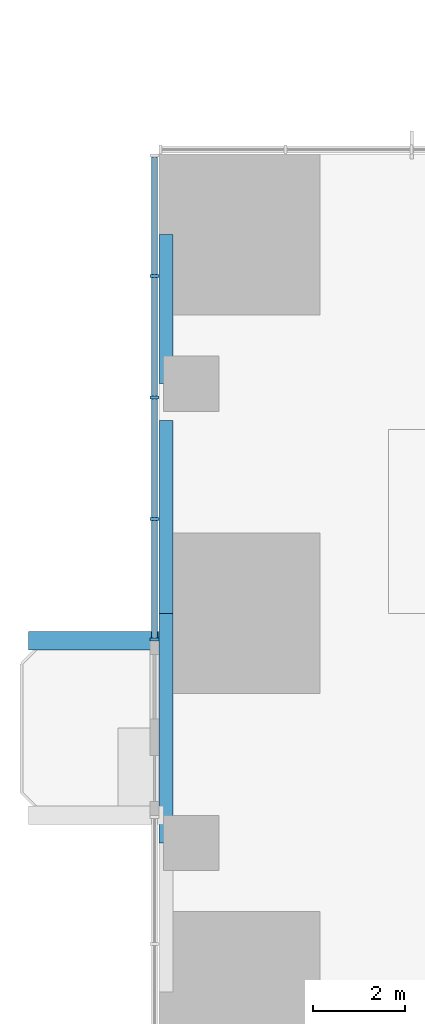
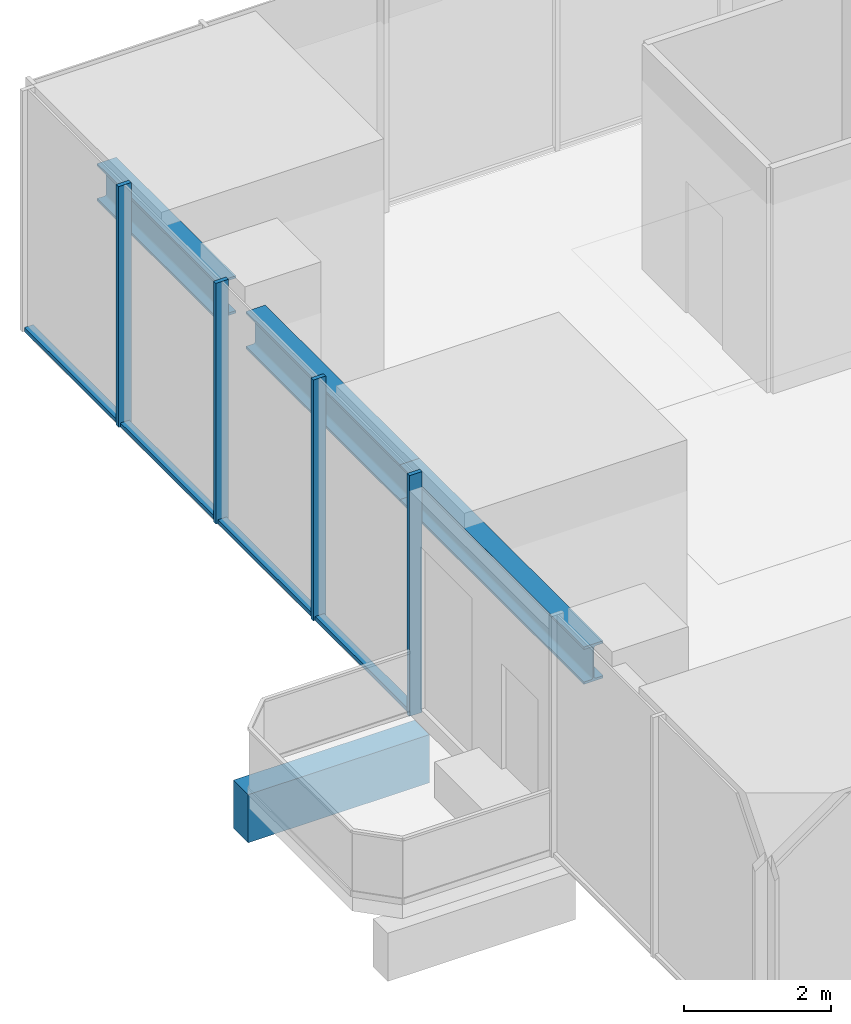
# One storey, part 3 of 13: 8 members, 4 beams, 1 element without a shape of its own.
"""IFC4 building model written with IfcOpenShell, lengths in metres."""

from ifc_helpers import new_model, si_unit, direction, frame, origin, origin_2d, place, context, subcontext, project, spatial, rectangle, i_section, extrude, material, material_profile, profile_set, type_object, element, aggregate, save


model = new_model("IFC4")

# Units and contexts
model_context = context("Model", 3, precision=1e-05, world=origin(), true_north=direction((0.0, 1.0)))
body_context = subcontext(model_context, "Body", "Model", "MODEL_VIEW")
ifc_project = project(units=[si_unit("LENGTHUNIT", "METRE"), si_unit("AREAUNIT", "SQUARE_METRE"), si_unit("VOLUMEUNIT", "CUBIC_METRE"), si_unit("PLANEANGLEUNIT", "RADIAN"), si_unit("MASSUNIT", "GRAM", prefix="KILO")], contexts=[model_context])

# Site, building, storey
site_placement = place(None, origin())
site = spatial("IfcSite", under=ifc_project, at=site_placement, CompositionType="ELEMENT")
building_placement = place(site_placement, origin())
building = spatial("IfcBuilding", under=site, at=building_placement, Name="Svetlomir Tower", CompositionType="ELEMENT")
storey_placement = place(building_placement, frame((0.0, 0.0, 96.5)))
storey = spatial("IfcBuildingStorey", under=building, at=storey_placement, Name="L22", CompositionType="ELEMENT", Elevation=96.5)

# Beam
ifc_material_1 = material(Name="Concrete C60/75", Category="concrete")
ifc_material_profile_1 = material_profile(ifc_material_1, rectangle(XDim=0.39990234375, YDim=0.800048828125, at=origin_2d()), Name="RC 400x800")
ifc_profile_set_1 = profile_set([ifc_material_profile_1], Name="Concrete C60/75")
beam_type_1 = type_object("IfcBeamType", Name="BALCONY RIB RC 400x800", PredefinedType="BEAM", material=ifc_profile_set_1)
beam_1_placement = place(storey_placement, frame((0.0, 20.39990234375, -0.64990234375), z_axis=(-1.0, 0.0, 0.0), x_axis=(0.0, -1.0, 0.0)))
element("IfcBeam", 1, at=beam_1_placement, inside=storey, type_object=beam_type_1, Name="Balcony rib W 2 L22", PredefinedType="BEAM", context=body_context, shape_type="SweptSolid", body=[
    extrude(rectangle(XDim=0.39990234375, YDim=0.800048828125, at=origin_2d()), origin(), (0.0, 0.0, 1.0), 2.85009765625),
])

# Curtain wall, members
ifc_material_2 = material(Name="Bronze anodised aluminium curtain wall", Category="aluminium")
curtain_wall_type = type_object("IfcCurtainWallType", Name="CURTAIN WALL CW1 TOWER OFFICE", PredefinedType="NOTDEFINED", material=ifc_material_2)
curtain_wall_placement = place(storey_placement, origin())
curtain_wall = element("IfcCurtainWall", 2, at=curtain_wall_placement, inside=storey, type_object=curtain_wall_type, Name="Curtain wall CW1 L22", PredefinedType="NOTDEFINED")
ifc_material_3 = material(Name="Bronze anodised aluminium", Category="aluminium")
ifc_material_profile_2 = material_profile(ifc_material_3, rectangle(XDim=0.06494140625, YDim=0.199951171875, at=origin_2d()), Name="AL 65x200")
ifc_profile_set_2 = profile_set([ifc_material_profile_2], Name="Bronze anodised aluminium 6063-T6")
member_type_1 = type_object("IfcMemberType", Name="CW1 MULLION 65x200", PredefinedType="MULLION", material=ifc_profile_set_2)
member_1_placement = place(storey_placement, frame((-0.10009765625, 28.35009765625, 0.0), z_axis=(0.0, 0.0, 1.0), x_axis=(0.0, -1.0, 0.0)))
member_1 = element("IfcMember", 3, at=member_1_placement, type_object=member_type_1, Name="CW1 mullion 2", PredefinedType="MULLION", context=body_context, shape_type="SweptSolid", body=[
    extrude(rectangle(XDim=0.06494140625, YDim=0.199951171875, at=origin_2d()), origin(), (0.0, 0.0, 1.0), 4.0),
])
member_2_placement = place(storey_placement, frame((-0.10009765625, 25.699951171875, 0.0), z_axis=(0.0, 0.0, 1.0), x_axis=(0.0, -1.0, 0.0)))
member_2 = element("IfcMember", 4, at=member_2_placement, type_object=member_type_1, Name="CW1 mullion 3", PredefinedType="MULLION", context=body_context, shape_type="SweptSolid", body=[
    extrude(rectangle(XDim=0.06494140625, YDim=0.199951171875, at=origin_2d()), origin(), (0.0, 0.0, 1.0), 4.0),
])
member_3_placement = place(storey_placement, frame((-0.10009765625, 23.050048828125, 0.0), z_axis=(0.0, 0.0, 1.0), x_axis=(0.0, -1.0, 0.0)))
member_3 = element("IfcMember", 5, at=member_3_placement, type_object=member_type_1, Name="CW1 mullion 4", PredefinedType="MULLION", context=body_context, shape_type="SweptSolid", body=[
    extrude(rectangle(XDim=0.06494140625, YDim=0.199951171875, at=origin_2d()), origin(), (0.0, 0.0, 1.0), 4.0),
])
member_4_placement = place(storey_placement, frame((-0.10009765625, 20.4326171875, 0.0), z_axis=(0.0, 0.0, 1.0), x_axis=(0.0, -1.0, 0.0)))
member_4 = element("IfcMember", 6, at=member_4_placement, type_object=member_type_1, Name="CW1 mullion 5", PredefinedType="MULLION", context=body_context, shape_type="SweptSolid", body=[
    extrude(rectangle(XDim=0.06494140625, YDim=0.199951171875, at=origin_2d()), origin(), (0.0, 0.0, 1.0), 4.0),
])
ifc_material_4 = material(Name="Bronze anodised aluminium", Category="aluminium")
ifc_material_profile_3 = material_profile(ifc_material_4, rectangle(XDim=0.139892578125, YDim=0.06494140625, at=origin_2d()), Name="AL 140x65")
ifc_profile_set_3 = profile_set([ifc_material_profile_3], Name="Bronze anodised aluminium 6063-T6")
member_type_2 = type_object("IfcMemberType", Name="CW1 TRANSOM 65x140", PredefinedType="USERDEFINED", material=ifc_profile_set_3)
member_5_placement = place(storey_placement, frame((-0.10009765625, 30.93505859375, 0.032470703125), z_axis=(0.0, -1.0, 0.0), x_axis=(1.0, 0.0, 0.0)))
member_5 = element("IfcMember", 7, at=member_5_placement, type_object=member_type_2, Name="CW1 transom 1.1", ObjectType="TRANSOM", PredefinedType="USERDEFINED", context=body_context, shape_type="SweptSolid", body=[
    extrude(rectangle(XDim=0.139892578125, YDim=0.06494140625, at=origin_2d()), origin(), (0.0, 0.0, 1.0), 2.552490234375),
])
member_6_placement = place(storey_placement, frame((-0.10009765625, 28.3173828125, 0.032470703125), z_axis=(0.0, -1.0, 0.0), x_axis=(1.0, 0.0, 0.0)))
member_6 = element("IfcMember", 8, at=member_6_placement, type_object=member_type_2, Name="CW1 transom 2.1", ObjectType="TRANSOM", PredefinedType="USERDEFINED", context=body_context, shape_type="SweptSolid", body=[
    extrude(rectangle(XDim=0.139892578125, YDim=0.06494140625, at=origin_2d()), origin(), (0.0, 0.0, 1.0), 2.5849609375),
])
member_7_placement = place(storey_placement, frame((-0.10009765625, 25.66748046875, 0.032470703125), z_axis=(0.0, -1.0, 0.0), x_axis=(1.0, 0.0, 0.0)))
member_7 = element("IfcMember", 9, at=member_7_placement, type_object=member_type_2, Name="CW1 transom 3.1", ObjectType="TRANSOM", PredefinedType="USERDEFINED", context=body_context, shape_type="SweptSolid", body=[
    extrude(rectangle(XDim=0.139892578125, YDim=0.06494140625, at=origin_2d()), origin(), (0.0, 0.0, 1.0), 2.5849609375),
])
member_8_placement = place(storey_placement, frame((-0.10009765625, 23.017578125, 0.032470703125), z_axis=(0.0, -1.0, 0.0), x_axis=(1.0, 0.0, 0.0)))
member_8 = element("IfcMember", 10, at=member_8_placement, type_object=member_type_2, Name="CW1 transom 4.1", ObjectType="TRANSOM", PredefinedType="USERDEFINED", context=body_context, shape_type="SweptSolid", body=[
    extrude(rectangle(XDim=0.139892578125, YDim=0.06494140625, at=origin_2d()), origin(), (0.0, 0.0, 1.0), 2.552490234375),
])
aggregate(curtain_wall, [member_1, member_2, member_3, member_4, member_5, member_6, member_7, member_8])

# Beams
ifc_material_5 = material(Name="Steel S355", Category="steel")
ifc_material_profile_4 = material_profile(ifc_material_5, i_section(OverallWidth=0.304931640625, OverallDepth=0.6201171875, WebThickness=0.02099609375, FlangeThickness=0.0400390625, FilletRadius=0.027099609375, at=origin_2d()), Name="HEM 600")
ifc_profile_set_4 = profile_set([ifc_material_profile_4], Name="Steel S355")
beam_type_2 = type_object("IfcBeamType", Name="EDGE BEAM HEM 600", PredefinedType="SPANDREL", material=ifc_profile_set_4)
beam_2_placement = place(storey_placement, frame((0.152587890625, 16.0, 3.43994140625), z_axis=(0.0, 1.0, 0.0), x_axis=(-1.0, 0.0, 0.0)))
element("IfcBeam", 11, at=beam_2_placement, inside=storey, type_object=beam_type_2, Name="Edge beam 0/16 to 0/21 under L23", PredefinedType="SPANDREL", context=body_context, shape_type="SweptSolid", body=[
    extrude(i_section(OverallWidth=0.304931640625, OverallDepth=0.6201171875, WebThickness=0.02099609375, FlangeThickness=0.0400390625, FilletRadius=0.027099609375, at=origin_2d()), origin(), (0.0, 0.0, 1.0), 5.0),
])
beam_3_placement = place(storey_placement, frame((0.152587890625, 21.0, 3.43994140625), z_axis=(0.0, 1.0, 0.0), x_axis=(-1.0, 0.0, 0.0)))
element("IfcBeam", 12, at=beam_3_placement, inside=storey, type_object=beam_type_2, Name="Edge beam 0/21 to 0/26 under L23", PredefinedType="SPANDREL", context=body_context, shape_type="SweptSolid", body=[
    extrude(i_section(OverallWidth=0.304931640625, OverallDepth=0.6201171875, WebThickness=0.02099609375, FlangeThickness=0.0400390625, FilletRadius=0.027099609375, at=origin_2d()), origin(), (0.0, 0.0, 1.0), 4.199951171875),
])
beam_4_placement = place(storey_placement, frame((0.152587890625, 26.0, 3.43994140625), z_axis=(0.0, 1.0, 0.0), x_axis=(-1.0, 0.0, 0.0)))
element("IfcBeam", 13, at=beam_4_placement, inside=storey, type_object=beam_type_2, Name="Edge beam 0/26 to 0/31 under L23", PredefinedType="SPANDREL", context=body_context, shape_type="SweptSolid", body=[
    extrude(i_section(OverallWidth=0.304931640625, OverallDepth=0.6201171875, WebThickness=0.02099609375, FlangeThickness=0.0400390625, FilletRadius=0.027099609375, at=origin_2d()), origin(), (0.0, 0.0, 1.0), 3.25),
])

save(model, "model.ifc")
